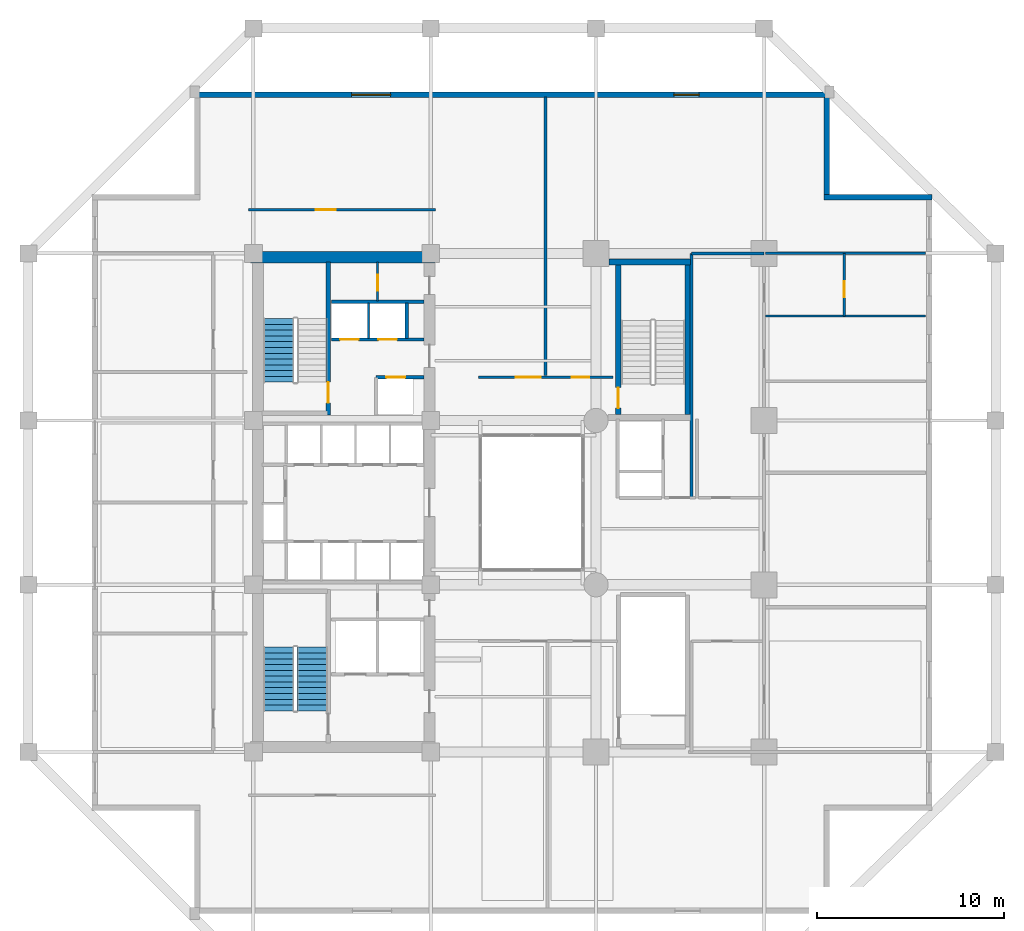
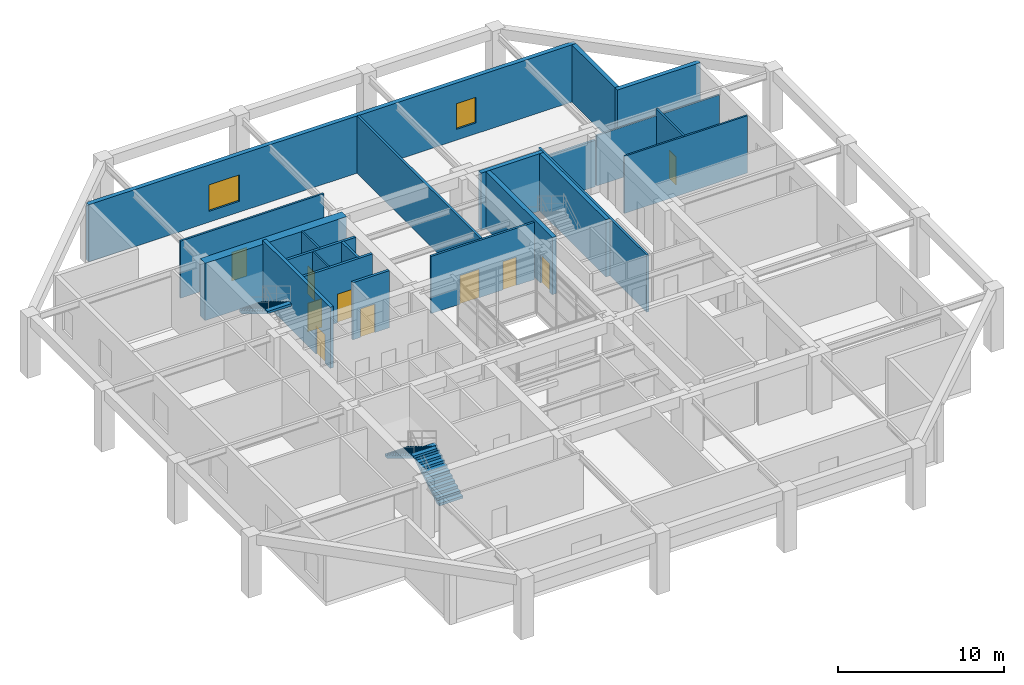
# One storey, part 9 of 13: 22 walls, 10 doors, 3 stair flights, 2 windows, 12 openings, 2 elements without a shape of their own.
"""IFC4 building model written with IfcOpenShell, lengths in metres."""

from ifc_helpers import new_model, si_unit, direction, frame, frame_2d, origin, place, context, subcontext, project, spatial, polyline, rectangle, outline, extrude, material, layer, layer_set, type_object, element, fill, aggregate, save


model = new_model("IFC4")

# Units and contexts
model_context = context("Model", 3, precision=1e-05, world=origin(), true_north=direction((0.0, 1.0)))
body_context = subcontext(model_context, "Body", "Model", "MODEL_VIEW")
ifc_project = project(units=[si_unit("LENGTHUNIT", "METRE"), si_unit("AREAUNIT", "SQUARE_METRE"), si_unit("VOLUMEUNIT", "CUBIC_METRE"), si_unit("PLANEANGLEUNIT", "RADIAN"), si_unit("MASSUNIT", "GRAM", prefix="KILO")], contexts=[model_context])

# Site, building, storey
site_placement = place(None, origin())
site = spatial("IfcSite", under=ifc_project, at=site_placement, CompositionType="ELEMENT")
building_placement = place(site_placement, origin())
building = spatial("IfcBuilding", under=site, at=building_placement, Name="Kundavana Baori Tower", CompositionType="ELEMENT")
storey_placement = place(building_placement, frame((0.0, 0.0, 21.5)))
storey = spatial("IfcBuildingStorey", under=building, at=storey_placement, Name="L04", CompositionType="ELEMENT", Elevation=21.5)

# Wall, opening, door
ifc_material_1 = material(Name="Concrete C50/60", Category="concrete")
ifc_layer_1 = layer(ifc_material_1, 0.39990234375, Name="WL-CORE-400")
ifc_layer_set_1 = layer_set([ifc_layer_1], Name="Concrete C50/60")
wall_type_1 = type_object("IfcWallType", Name="WL-CORE-400", PredefinedType="SHEAR", material=ifc_layer_set_1)
wall_1_placement = place(storey_placement, frame((19.4599609375, 33.300048828125, 0.0), z_axis=(0.0, 0.0, 1.0), x_axis=(0.0, 1.0, 0.0)))
wall_1 = element("IfcWall", 1, at=wall_1_placement, inside=storey, type_object=wall_type_1, Name="WL-L04-ST2-E", PredefinedType="SHEAR", context=body_context, shape_type="SweptSolid", body=[
    extrude(rectangle(XDim=8.179931640625, YDim=0.239990234375, at=frame_2d((4.08984375, 0.0))), origin(), (0.0, 0.0, 1.0), 4.5),
])
opening_1_placement = place(wall_1_placement, frame((0.64990234375, 0.0, 0.0)))
opening_1 = element("IfcOpeningElement", 2, at=opening_1_placement, cuts=wall_1, Name="Opening FD-110", PredefinedType="OPENING", context=body_context, shape_type="SweptSolid", body=[
    extrude(rectangle(XDim=1.10009765625, YDim=2.10009765625, at=frame_2d((0.550048828125, 1.050048828125))), frame((0.0, 0.1298828125, 0.0), z_axis=(0.0, -1.0, 0.0), x_axis=(1.0, 0.0, 0.0)), (0.0, 0.0, 1.0), 0.260009765625),
])
ifc_material_2 = material(Name="Galvanised Steel Fire-Rated Door Leaf", Category="steel")
door_type_1 = type_object("IfcDoorType", Name="DR-FD120-1100", OperationType="NOTDEFINED", PredefinedType="DOOR", material=ifc_material_2)
door_1_placement = place(opening_1_placement, origin())
door_1 = element("IfcDoor", 3, at=door_1_placement, inside=storey, type_object=door_type_1, Name="DR-L04-ST2", OperationType="SINGLE_SWING_RIGHT", OverallHeight=2.10009765625, OverallWidth=1.10009765625, PredefinedType="DOOR", context=body_context, shape_type="SweptSolid", body=[
    extrude(rectangle(XDim=1.10009765625, YDim=2.10009765625, at=frame_2d((0.550048828125, 1.050048828125))), frame((0.0, 0.02490234375, 0.0), z_axis=(0.0, -1.0, 0.0), x_axis=(1.0, 0.0, 0.0)), (0.0, 0.0, 1.0), 0.050048828125),
])
fill(opening_1, door_1)

# Walls
ifc_material_3 = material(Name="Concrete C60/75", Category="concrete")
ifc_layer_2 = layer(ifc_material_3, 0.60009765625, Name="WL-CORE-600")
ifc_layer_set_2 = layer_set([ifc_layer_2], Name="Concrete C60/75")
wall_type_2 = type_object("IfcWallType", Name="WL-CORE-600", PredefinedType="SHEAR", material=ifc_layer_set_2)
wall_2_placement = place(storey_placement, frame((15.300048828125, 41.739990234375, 0.0), z_axis=(0.0, 0.0, 1.0), x_axis=(1.0, 0.0, 0.0)))
element("IfcWall", 4, at=wall_2_placement, inside=storey, type_object=wall_type_2, Name="L04 Offset Core North Shear Wall", PredefinedType="SHEAR", context=body_context, shape_type="SweptSolid", body=[
    extrude(rectangle(XDim=9.8798828125, YDim=0.60009765625, at=frame_2d((4.93994140625, 0.0))), origin(), (0.0, 0.0, 1.0), 4.219970703125),
])
ifc_material_4 = material(Name="Red-Buff Dholpur Sandstone Cladding on Concrete C40/50", Category="masonry")
ifc_layer_3 = layer(ifc_material_4, 0.300048828125, Name="WL-EXT-SAND-300")
ifc_layer_set_3 = layer_set([ifc_layer_3], Name="Red-Buff Dholpur Sandstone Cladding on Concrete C40/50")
wall_type_3 = type_object("IfcWallType", Name="WL-EXT-SAND-300", PredefinedType="STANDARD", material=ifc_layer_set_3)
wall_3_placement = place(storey_placement, frame((51.800048828125, 44.949951171875, 0.0), z_axis=(0.0, 0.0, 1.0), x_axis=(-1.0, 0.0, 0.0)))
element("IfcWall", 5, at=wall_3_placement, inside=storey, type_object=wall_type_3, Name="L04 Exterior Insulated Facade Wall 05", PredefinedType="STANDARD", context=body_context, shape_type="SweptSolid", body=[
    extrude(rectangle(XDim=5.800048828125, YDim=0.300048828125, at=frame_2d((2.89990234375, 0.0))), origin(), (0.0, 0.0, 1.0), 4.219970703125),
])
wall_4_placement = place(storey_placement, frame((46.14990234375, 45.10009765625, 0.0), z_axis=(0.0, 0.0, 1.0), x_axis=(0.0, 1.0, 0.0)))
element("IfcWall", 6, at=wall_4_placement, inside=storey, type_object=wall_type_3, Name="L04 Exterior Insulated Facade Wall 06", PredefinedType="STANDARD", context=body_context, shape_type="SweptSolid", body=[
    extrude(rectangle(XDim=5.199951171875, YDim=0.300048828125, at=frame_2d((2.60009765625, 0.0))), origin(), (0.0, 0.0, 1.0), 4.219970703125),
])

# Wall, openings, windows
wall_5_placement = place(storey_placement, frame((46.300048828125, 50.449951171875, 0.0), z_axis=(0.0, 0.0, 1.0), x_axis=(-1.0, 0.0, 0.0)))
wall_5 = element("IfcWall", 7, at=wall_5_placement, inside=storey, type_object=wall_type_3, Name="L04 Exterior Insulated Facade Wall 07", PredefinedType="STANDARD", context=body_context, shape_type="SweptSolid", body=[
    extrude(rectangle(XDim=34.0, YDim=0.300048828125, at=frame_2d((17.0, 0.0))), origin(), (0.0, 0.0, 1.0), 4.219970703125),
])
opening_2_placement = place(wall_5_placement, frame((23.4951171875, 0.0, 0.800048828125)))
opening_2 = element("IfcOpeningElement", 8, at=opening_2_placement, cuts=wall_5, Name="Opening W-05", PredefinedType="OPENING", context=body_context, shape_type="SweptSolid", body=[
    extrude(rectangle(XDim=2.10009765625, YDim=1.949951171875, at=frame_2d((1.050048828125, 0.97509765625))), frame((0.0, 0.16015625, 0.0), z_axis=(0.0, -1.0, 0.0), x_axis=(1.0, 0.0, 0.0)), (0.0, 0.0, 1.0), 0.320068359375),
])
opening_3_placement = place(wall_5_placement, frame((6.97998046875, 0.0, 0.800048828125)))
opening_3 = element("IfcOpeningElement", 9, at=opening_3_placement, cuts=wall_5, Name="Opening W-07", PredefinedType="OPENING", context=body_context, shape_type="SweptSolid", body=[
    extrude(rectangle(XDim=1.35009765625, YDim=1.89990234375, at=frame_2d((0.675048828125, 0.949951171875))), frame((0.0, 0.16015625, 0.0), z_axis=(0.0, -1.0, 0.0), x_axis=(1.0, 0.0, 0.0)), (0.0, 0.0, 1.0), 0.320068359375),
])
ifc_material_5 = material(Name="Double-Glazed Solar-Control Low-E Insulated Glass", Category="glass")
window_type_1 = type_object("IfcWindowType", Name="WIN-LOG-1350x1900", PartitioningType="SINGLE_PANEL", PredefinedType="WINDOW", material=ifc_material_5)
window_1_placement = place(opening_3_placement, origin())
window_1 = element("IfcWindow", 10, at=window_1_placement, inside=storey, type_object=window_type_1, Name="L04 Recessed Loggia Window N-2", OverallHeight=1.89990234375, OverallWidth=1.35009765625, PartitioningType="SINGLE_PANEL", PredefinedType="WINDOW", context=body_context, shape_type="SweptSolid", body=[
    extrude(rectangle(XDim=1.35009765625, YDim=1.89990234375, at=frame_2d((0.675048828125, 0.949951171875))), frame((0.0, 0.030029296875, 0.0), z_axis=(0.0, -1.0, 0.0), x_axis=(1.0, 0.0, 0.0)), (0.0, 0.0, 1.0), 0.06005859375),
])
fill(opening_3, window_1)
ifc_material_6 = material(Name="Double-Glazed Solar-Control Low-E Insulated Glass", Category="glass")
window_type_2 = type_object("IfcWindowType", Name="WIN-LOG-2100x1950", PartitioningType="SINGLE_PANEL", PredefinedType="WINDOW", material=ifc_material_6)
window_2_placement = place(opening_2_placement, origin())
window_2 = element("IfcWindow", 11, at=window_2_placement, inside=storey, type_object=window_type_2, Name="L04 Recessed Loggia Window N-1", OverallHeight=1.949951171875, OverallWidth=2.10009765625, PartitioningType="SINGLE_PANEL", PredefinedType="WINDOW", context=body_context, shape_type="SweptSolid", body=[
    extrude(rectangle(XDim=2.10009765625, YDim=1.949951171875, at=frame_2d((1.050048828125, 0.97509765625))), frame((0.0, 0.030029296875, 0.0), z_axis=(0.0, -1.0, 0.0), x_axis=(1.0, 0.0, 0.0)), (0.0, 0.0, 1.0), 0.06005859375),
])
fill(opening_2, window_2)

# Wall
ifc_material_7 = material(Name="Acoustic Gypsum Plasterboard on Galvanised Steel Studs", Category="steel")
ifc_layer_4 = layer(ifc_material_7, 0.1201171875, Name="WL-PART-120")
ifc_layer_set_4 = layer_set([ifc_layer_4], Name="Acoustic Gypsum Plasterboard on Galvanised Steel Studs")
wall_type_4 = type_object("IfcWallType", Name="WL-PART-120", PredefinedType="PARTITIONING", material=ifc_layer_set_4)
wall_6_placement = place(storey_placement, frame((21.6201171875, 37.39990234375, 0.0), z_axis=(0.0, 0.0, 1.0), x_axis=(0.0, 1.0, 0.0)))
element("IfcWall", 12, at=wall_6_placement, inside=storey, type_object=wall_type_4, Name="WL-L04-HR-DIV1", PredefinedType="PARTITIONING", context=body_context, shape_type="SweptSolid", body=[
    extrude(rectangle(XDim=1.900146484375, YDim=0.1201171875, at=frame_2d((0.9501953125, 0.0))), origin(), (0.0, 0.0, 1.0), 4.219970703125),
])

# Wall, opening, door
wall_7_placement = place(storey_placement, frame((22.10009765625, 39.39990234375, 0.0), z_axis=(0.0, 0.0, 1.0), x_axis=(0.0, 1.0, 0.0)))
wall_7 = element("IfcWall", 13, at=wall_7_placement, inside=storey, type_object=wall_type_4, Name="WL-L04-CSRV-D1", PredefinedType="PARTITIONING", context=body_context, shape_type="SweptSolid", body=[
    extrude(rectangle(XDim=2.080078125, YDim=0.1201171875, at=frame_2d((1.0400390625, 0.0))), origin(), (0.0, 0.0, 1.0), 4.219970703125),
])
opening_4_placement = place(wall_7_placement, frame((0.550048828125, 0.0, 0.0)))
opening_4 = element("IfcOpeningElement", 14, at=opening_4_placement, cuts=wall_7, Name="Opening FD-085", PredefinedType="OPENING", context=body_context, shape_type="SweptSolid", body=[
    extrude(rectangle(XDim=0.85009765625, YDim=2.06005859375, at=frame_2d((0.425048828125, 1.030029296875))), frame((0.0, 0.070068359375, 0.0), z_axis=(0.0, -1.0, 0.0), x_axis=(1.0, 0.0, 0.0)), (0.0, 0.0, 1.0), 0.14013671875),
])
ifc_material_8 = material(Name="Galvanised Steel Fire-Rated Door Leaf", Category="steel")
door_type_2 = type_object("IfcDoorType", Name="DR-FD60-850", OperationType="NOTDEFINED", PredefinedType="DOOR", material=ifc_material_8)
door_2_placement = place(opening_4_placement, origin())
door_2 = element("IfcDoor", 15, at=door_2_placement, inside=storey, type_object=door_type_2, Name="DR-L04-CSRV1", OperationType="SINGLE_SWING_LEFT", OverallHeight=2.06005859375, OverallWidth=0.85009765625, PredefinedType="DOOR", context=body_context, shape_type="SweptSolid", body=[
    extrude(rectangle(XDim=0.85009765625, YDim=2.06005859375, at=frame_2d((0.425048828125, 1.030029296875))), frame((0.0, 0.02490234375, 0.0), z_axis=(0.0, -1.0, 0.0), x_axis=(1.0, 0.0, 0.0)), (0.0, 0.0, 1.0), 0.050048828125),
])
fill(opening_4, door_2)

ifc_material_9 = material(Name="Acoustic Gypsum Plasterboard on Galvanised Steel Studs", Category="steel")
ifc_layer_5 = layer(ifc_material_9, 0.135009765625, Name="WL-PART-135")
ifc_layer_set_5 = layer_set([ifc_layer_5], Name="Acoustic Gypsum Plasterboard on Galvanised Steel Studs")
wall_type_5 = type_object("IfcWallType", Name="WL-PART-135", PredefinedType="PARTITIONING", material=ifc_layer_set_5)
wall_8_placement = place(storey_placement, frame((15.199951171875, 44.280029296875, 0.0), z_axis=(0.0, 0.0, 1.0), x_axis=(1.0, 0.0, 0.0)))
wall_8 = element("IfcWall", 16, at=wall_8_placement, inside=storey, type_object=wall_type_5, Name="WL-L04-NC", PredefinedType="PARTITIONING", context=body_context, shape_type="SweptSolid", body=[
    extrude(rectangle(XDim=10.0, YDim=0.135009765625, at=frame_2d((5.0, 0.0))), origin(), (0.0, 0.0, 1.0), 4.219970703125),
])
opening_5_placement = place(wall_8_placement, frame((3.60009765625, 0.0, 0.0)))
opening_5 = element("IfcOpeningElement", 17, at=opening_5_placement, cuts=wall_8, Name="Opening ID-105", PredefinedType="OPENING", context=body_context, shape_type="SweptSolid", body=[
    extrude(rectangle(XDim=1.050048828125, YDim=2.10009765625, at=frame_2d((0.52490234375, 1.050048828125))), frame((0.0, 0.07763671875, 0.0), z_axis=(0.0, -1.0, 0.0), x_axis=(1.0, 0.0, 0.0)), (0.0, 0.0, 1.0), 0.155029296875),
])
ifc_material_10 = material(Name="Engineered Teak Solid-Core Timber Veneer", Category="wood")
door_type_3 = type_object("IfcDoorType", Name="DR-INT-1050", OperationType="NOTDEFINED", PredefinedType="DOOR", material=ifc_material_10)
door_3_placement = place(opening_5_placement, origin())
door_3 = element("IfcDoor", 18, at=door_3_placement, inside=storey, type_object=door_type_3, Name="DR-L04-RNW", OperationType="SINGLE_SWING_RIGHT", OverallHeight=2.10009765625, OverallWidth=1.050048828125, PredefinedType="DOOR", context=body_context, shape_type="SweptSolid", body=[
    extrude(rectangle(XDim=1.050048828125, YDim=2.10009765625, at=frame_2d((0.52490234375, 1.050048828125))), frame((0.0, 0.02490234375, 0.0), z_axis=(0.0, -1.0, 0.0), x_axis=(1.0, 0.0, 0.0)), (0.0, 0.0, 1.0), 0.050048828125),
])
fill(opening_5, door_3)

# Wall, openings, doors
ifc_material_11 = material(Name="Fire-Rated Gypsum Drywall on Galvanised Steel Studs", Category="steel")
ifc_layer_6 = layer(ifc_material_11, 0.14990234375, Name="WL-PART-150")
ifc_layer_set_6 = layer_set([ifc_layer_6], Name="Fire-Rated Gypsum Drywall on Galvanised Steel Studs")
wall_type_6 = type_object("IfcWallType", Name="WL-PART-150", PredefinedType="PARTITIONING", material=ifc_layer_set_6)
wall_9_placement = place(storey_placement, frame((27.5, 35.320068359375, 0.0), z_axis=(0.0, 0.0, 1.0), x_axis=(1.0, 0.0, 0.0)))
wall_9 = element("IfcWall", 19, at=wall_9_placement, inside=storey, type_object=wall_type_6, Name="WL-L04-PODN", PredefinedType="PARTITIONING", context=body_context, shape_type="SweptSolid", body=[
    extrude(rectangle(XDim=7.219970703125, YDim=0.14990234375, at=frame_2d((3.60986328125, 0.0))), origin(), (0.0, 0.0, 1.0), 4.219970703125),
])
opening_6_placement = place(wall_9_placement, frame((5.0, 0.0, 0.0)))
opening_6 = element("IfcOpeningElement", 20, at=opening_6_placement, cuts=wall_9, Name="Opening ID-095", PredefinedType="OPENING", context=body_context, shape_type="SweptSolid", body=[
    extrude(rectangle(XDim=0.949951171875, YDim=2.080078125, at=frame_2d((0.47509765625, 1.0400390625))), frame((0.0, 0.0849609375, 0.0), z_axis=(0.0, -1.0, 0.0), x_axis=(1.0, 0.0, 0.0)), (0.0, 0.0, 1.0), 0.169921875),
])
opening_7_placement = place(wall_9_placement, frame((2.0, 0.0, 0.0)))
opening_7 = element("IfcOpeningElement", 21, at=opening_7_placement, cuts=wall_9, Name="Opening ID-135", PredefinedType="OPENING", context=body_context, shape_type="SweptSolid", body=[
    extrude(rectangle(XDim=1.35009765625, YDim=2.10009765625, at=frame_2d((0.675048828125, 1.050048828125))), frame((0.0, 0.0849609375, 0.0), z_axis=(0.0, -1.0, 0.0), x_axis=(1.0, 0.0, 0.0)), (0.0, 0.0, 1.0), 0.169921875),
])
ifc_material_12 = material(Name="Engineered Teak Solid-Core Timber Veneer", Category="wood")
door_type_4 = type_object("IfcDoorType", Name="DR-INT-1350", OperationType="NOTDEFINED", PredefinedType="DOOR", material=ifc_material_12)
door_4_placement = place(opening_7_placement, origin())
door_4 = element("IfcDoor", 22, at=door_4_placement, inside=storey, type_object=door_type_4, Name="DR-L04-CONFN", OperationType="SINGLE_SWING_LEFT", OverallHeight=2.10009765625, OverallWidth=1.35009765625, PredefinedType="DOOR", context=body_context, shape_type="SweptSolid", body=[
    extrude(rectangle(XDim=1.35009765625, YDim=2.10009765625, at=frame_2d((0.675048828125, 1.050048828125))), frame((0.0, 0.02490234375, 0.0), z_axis=(0.0, -1.0, 0.0), x_axis=(1.0, 0.0, 0.0)), (0.0, 0.0, 1.0), 0.050048828125),
])
fill(opening_7, door_4)
ifc_material_13 = material(Name="Engineered Teak Solid-Core Timber Veneer", Category="wood")
door_type_5 = type_object("IfcDoorType", Name="DR-INT-950", OperationType="NOTDEFINED", PredefinedType="DOOR", material=ifc_material_13)
door_5_placement = place(opening_6_placement, origin())
door_5 = element("IfcDoor", 23, at=door_5_placement, inside=storey, type_object=door_type_5, Name="DR-L04-CFN2", OperationType="SINGLE_SWING_RIGHT", OverallHeight=2.080078125, OverallWidth=0.949951171875, PredefinedType="DOOR", context=body_context, shape_type="SweptSolid", body=[
    extrude(rectangle(XDim=0.949951171875, YDim=2.080078125, at=frame_2d((0.47509765625, 1.0400390625))), frame((0.0, 0.02490234375, 0.0), z_axis=(0.0, -1.0, 0.0), x_axis=(1.0, 0.0, 0.0)), (0.0, 0.0, 1.0), 0.050048828125),
])
fill(opening_6, door_5)

# Walls
wall_10_placement = place(storey_placement, frame((38.919921875, 28.860107421875, 0.0), z_axis=(0.0, 0.0, 1.0), x_axis=(0.0, 1.0, 0.0)))
element("IfcWall", 24, at=wall_10_placement, inside=storey, type_object=wall_type_6, Name="WL-L04-PEATW", PredefinedType="PARTITIONING", context=body_context, shape_type="SweptSolid", body=[
    extrude(rectangle(XDim=13.08984375, YDim=0.14990234375, at=frame_2d((6.544921875, 0.0))), origin(), (0.0, 0.0, 1.0), 4.219970703125),
])
wall_11_placement = place(storey_placement, frame((38.919921875, 41.949951171875, 0.0), z_axis=(0.0, 0.0, 1.0), x_axis=(1.0, 0.0, 0.0)))
element("IfcWall", 25, at=wall_11_placement, inside=storey, type_object=wall_type_6, Name="WL-L04-PEATN", PredefinedType="PARTITIONING", context=body_context, shape_type="SweptSolid", body=[
    extrude(rectangle(XDim=3.880126953125, YDim=0.14990234375, at=frame_2d((1.93994140625, 0.0))), origin(), (0.0, 0.0, 1.0), 3.419921875),
])
ifc_material_14 = material(Name="Fire-Rated Gypsum Drywall on Galvanised Steel Studs", Category="steel")
ifc_layer_7 = layer(ifc_material_14, 0.1650390625, Name="WL-PART-165")
ifc_layer_set_7 = layer_set([ifc_layer_7], Name="Fire-Rated Gypsum Drywall on Galvanised Steel Studs")
wall_type_7 = type_object("IfcWallType", Name="WL-PART-165", PredefinedType="PARTITIONING", material=ifc_layer_set_7)
wall_12_placement = place(storey_placement, frame((31.10009765625, 35.39990234375, 0.0), z_axis=(0.0, 0.0, 1.0), x_axis=(0.0, 1.0, 0.0)))
element("IfcWall", 26, at=wall_12_placement, inside=storey, type_object=wall_type_7, Name="WL-L04-CN1", PredefinedType="PARTITIONING", context=body_context, shape_type="SweptSolid", body=[
    extrude(rectangle(XDim=14.920166015625, YDim=0.1650390625, at=frame_2d((7.4599609375, 0.0))), origin(), (0.0, 0.0, 1.0), 4.219970703125),
])

# Wall, opening, door
ifc_material_15 = material(Name="Autoclaved Aerated Concrete Blockwork Masonry", Category="masonry")
ifc_layer_8 = layer(ifc_material_15, 0.179931640625, Name="WL-SHAFT-180")
ifc_layer_set_8 = layer_set([ifc_layer_8], Name="Autoclaved Aerated Concrete Blockwork Masonry")
wall_type_8 = type_object("IfcWallType", Name="WL-SHAFT-180", PredefinedType="SOLIDWALL", material=ifc_layer_set_8)
wall_13_placement = place(storey_placement, frame((22.02001953125, 35.31005859375, 0.0), z_axis=(0.0, 0.0, 1.0), x_axis=(1.0, 0.0, 0.0)))
wall_13 = element("IfcWall", 27, at=wall_13_placement, inside=storey, type_object=wall_type_8, Name="WL-L04-LP11-N", PredefinedType="SOLIDWALL", context=body_context, shape_type="SweptSolid", body=[
    extrude(rectangle(XDim=2.56005859375, YDim=0.179931640625, at=frame_2d((1.280029296875, 0.0))), origin(), (0.0, 0.0, 1.0), 4.219970703125),
])
opening_8_placement = place(wall_13_placement, frame((0.550048828125, 0.0, 0.0)))
opening_8 = element("IfcOpeningElement", 28, at=opening_8_placement, cuts=wall_13, Name="Opening LD-100", PredefinedType="OPENING", context=body_context, shape_type="SweptSolid", body=[
    extrude(rectangle(XDim=1.0, YDim=2.10009765625, at=frame_2d((0.5, 1.050048828125))), frame((0.0, 0.10009765625, 0.0), z_axis=(0.0, -1.0, 0.0), x_axis=(1.0, 0.0, 0.0)), (0.0, 0.0, 1.0), 0.199951171875),
])
ifc_material_16 = material(Name="Galvanised Steel Fire-Rated Door Leaf", Category="steel")
door_type_6 = type_object("IfcDoorType", Name="DR-SLIDE-LD1000", OperationType="NOTDEFINED", PredefinedType="DOOR", material=ifc_material_16)
door_6_placement = place(opening_8_placement, origin())
door_6 = element("IfcDoor", 29, at=door_6_placement, inside=storey, type_object=door_type_6, Name="DR-L04-LD-LP11", OperationType="DOUBLE_DOOR_SLIDING", OverallHeight=2.10009765625, OverallWidth=1.0, PredefinedType="DOOR", context=body_context, shape_type="SweptSolid", body=[
    extrude(rectangle(XDim=1.0, YDim=2.10009765625, at=frame_2d((0.5, 1.050048828125))), frame((0.0, 0.02490234375, 0.0), z_axis=(0.0, -1.0, 0.0), x_axis=(1.0, 0.0, 0.0)), (0.0, 0.0, 1.0), 0.050048828125),
])
fill(opening_8, door_6)

# Wall, openings, doors
wall_14_placement = place(storey_placement, frame((19.639892578125, 37.340087890625, 0.0), z_axis=(0.0, 0.0, 1.0), x_axis=(1.0, 0.0, 0.0)))
wall_14 = element("IfcWall", 30, at=wall_14_placement, inside=storey, type_object=wall_type_8, Name="WL-L04-HRLOB-N", PredefinedType="SOLIDWALL", context=body_context, shape_type="SweptSolid", body=[
    extrude(rectangle(XDim=4.940185546875, YDim=0.179931640625, at=frame_2d((2.47021484375, 0.0))), origin(), (0.0, 0.0, 1.0), 4.219970703125),
])
opening_9_placement = place(wall_14_placement, frame((0.449951171875, 0.0, 0.0)))
opening_9 = element("IfcOpeningElement", 31, at=opening_9_placement, cuts=wall_14, Name="Opening LD-100", PredefinedType="OPENING", context=body_context, shape_type="SweptSolid", body=[
    extrude(rectangle(XDim=1.0, YDim=2.10009765625, at=frame_2d((0.5, 1.050048828125))), frame((0.0, 0.10009765625, 0.0), z_axis=(0.0, -1.0, 0.0), x_axis=(1.0, 0.0, 0.0)), (0.0, 0.0, 1.0), 0.199951171875),
])
opening_10_placement = place(wall_14_placement, frame((2.5, 0.0, 0.0)))
opening_10 = element("IfcOpeningElement", 32, at=opening_10_placement, cuts=wall_14, Name="Opening LD-100", PredefinedType="OPENING", context=body_context, shape_type="SweptSolid", body=[
    extrude(rectangle(XDim=1.0, YDim=2.10009765625, at=frame_2d((0.5, 1.050048828125))), frame((0.0, 0.10009765625, 0.0), z_axis=(0.0, -1.0, 0.0), x_axis=(1.0, 0.0, 0.0)), (0.0, 0.0, 1.0), 0.199951171875),
])
door_7_placement = place(opening_9_placement, frame((1.0, 0.0, 0.0), z_axis=(0.0, 0.0, 1.0), x_axis=(-1.0, 0.0, 0.0)))
door_7 = element("IfcDoor", 33, at=door_7_placement, inside=storey, type_object=door_type_6, Name="DR-L04-LD-LP09", OperationType="DOUBLE_DOOR_SLIDING", OverallHeight=2.10009765625, OverallWidth=1.0, PredefinedType="DOOR", context=body_context, shape_type="SweptSolid", body=[
    extrude(rectangle(XDim=1.0, YDim=2.10009765625, at=frame_2d((0.5, 1.050048828125))), frame((0.0, 0.02490234375, 0.0), z_axis=(0.0, -1.0, 0.0), x_axis=(1.0, 0.0, 0.0)), (0.0, 0.0, 1.0), 0.050048828125),
])
fill(opening_9, door_7)
door_8_placement = place(opening_10_placement, frame((1.0, 0.0, 0.0), z_axis=(0.0, 0.0, 1.0), x_axis=(-1.0, 0.0, 0.0)))
door_8 = element("IfcDoor", 34, at=door_8_placement, inside=storey, type_object=door_type_6, Name="DR-L04-LD-LP10", OperationType="DOUBLE_DOOR_SLIDING", OverallHeight=2.10009765625, OverallWidth=1.0, PredefinedType="DOOR", context=body_context, shape_type="SweptSolid", body=[
    extrude(rectangle(XDim=1.0, YDim=2.10009765625, at=frame_2d((0.5, 1.050048828125))), frame((0.0, 0.02490234375, 0.0), z_axis=(0.0, -1.0, 0.0), x_axis=(1.0, 0.0, 0.0)), (0.0, 0.0, 1.0), 0.050048828125),
])
fill(opening_10, door_8)

# Walls
wall_15_placement = place(storey_placement, frame((19.639892578125, 39.360107421875, 0.0), z_axis=(0.0, 0.0, 1.0), x_axis=(1.0, 0.0, 0.0)))
element("IfcWall", 35, at=wall_15_placement, inside=storey, type_object=wall_type_8, Name="WL-L04-HRLOB-TOP", PredefinedType="SOLIDWALL", context=body_context, shape_type="SweptSolid", body=[
    extrude(rectangle(XDim=4.940185546875, YDim=0.179931640625, at=frame_2d((2.47021484375, 0.0))), origin(), (0.0, 0.0, 1.0), 4.219970703125),
])
wall_16_placement = place(storey_placement, frame((23.659912109375, 37.39990234375, 0.0), z_axis=(0.0, 0.0, 1.0), x_axis=(0.0, 1.0, 0.0)))
element("IfcWall", 36, at=wall_16_placement, inside=storey, type_object=wall_type_8, Name="WL-L04-HR-DIV2", PredefinedType="SOLIDWALL", context=body_context, shape_type="SweptSolid", body=[
    extrude(rectangle(XDim=1.900146484375, YDim=0.179931640625, at=frame_2d((0.9501953125, 0.0))), origin(), (0.0, 0.0, 1.0), 4.219970703125),
])
ifc_material_17 = material(Name="Concrete C50/60", Category="concrete")
ifc_layer_9 = layer(ifc_material_17, 0.300048828125, Name="WL-ST3-300")
ifc_layer_set_9 = layer_set([ifc_layer_9], Name="Concrete C50/60")
wall_type_9 = type_object("IfcWallType", Name="WL-ST3-300", PredefinedType="SHEAR", material=ifc_layer_set_9)
wall_17_placement = place(storey_placement, frame((34.5, 41.489990234375, 0.0), z_axis=(0.0, 0.0, 1.0), x_axis=(1.0, 0.0, 0.0)))
element("IfcWall", 37, at=wall_17_placement, inside=storey, type_object=wall_type_9, Name="L04 Stair ST3 North Shear Wall", PredefinedType="SHEAR", context=body_context, shape_type="SweptSolid", body=[
    extrude(rectangle(XDim=4.3701171875, YDim=0.300048828125, at=frame_2d((2.18505859375, 0.0))), origin(), (0.0, 0.0, 1.0), 4.219970703125),
])

# Wall, opening, door
wall_18_placement = place(storey_placement, frame((34.97998046875, 33.31005859375, 0.0), z_axis=(0.0, 0.0, 1.0), x_axis=(0.0, 1.0, 0.0)))
wall_18 = element("IfcWall", 38, at=wall_18_placement, inside=storey, type_object=wall_type_9, Name="L04 Stair ST3 West Shear Wall", PredefinedType="SHEAR", context=body_context, shape_type="SweptSolid", body=[
    extrude(rectangle(XDim=8.030029296875, YDim=0.300048828125, at=frame_2d((4.01513671875, 0.0))), origin(), (0.0, 0.0, 1.0), 4.219970703125),
])
opening_11_placement = place(wall_18_placement, frame((0.35009765625, 0.0, 0.0)))
opening_11 = element("IfcOpeningElement", 39, at=opening_11_placement, cuts=wall_18, Name="Opening FD-110", PredefinedType="OPENING", context=body_context, shape_type="SweptSolid", body=[
    extrude(rectangle(XDim=1.10009765625, YDim=2.10009765625, at=frame_2d((0.550048828125, 1.050048828125))), frame((0.0, 0.16015625, 0.0), z_axis=(0.0, -1.0, 0.0), x_axis=(1.0, 0.0, 0.0)), (0.0, 0.0, 1.0), 0.320068359375),
])
door_9_placement = place(opening_11_placement, origin())
door_9 = element("IfcDoor", 40, at=door_9_placement, inside=storey, type_object=door_type_1, Name="DR-L04-ST3-W", OperationType="SINGLE_SWING_LEFT", OverallHeight=2.10009765625, OverallWidth=1.10009765625, PredefinedType="DOOR", context=body_context, shape_type="SweptSolid", body=[
    extrude(rectangle(XDim=1.10009765625, YDim=2.10009765625, at=frame_2d((0.550048828125, 1.050048828125))), frame((0.0, 0.02490234375, 0.0), z_axis=(0.0, -1.0, 0.0), x_axis=(1.0, 0.0, 0.0)), (0.0, 0.0, 1.0), 0.050048828125),
])
fill(opening_11, door_9)

# Walls
wall_19_placement = place(storey_placement, frame((38.719970703125, 33.31005859375, 0.0), z_axis=(0.0, 0.0, 1.0), x_axis=(0.0, 1.0, 0.0)))
element("IfcWall", 41, at=wall_19_placement, inside=storey, type_object=wall_type_9, Name="L04 Stair ST3 East Shear Wall", PredefinedType="SHEAR", context=body_context, shape_type="SweptSolid", body=[
    extrude(rectangle(XDim=8.030029296875, YDim=0.300048828125, at=frame_2d((4.01513671875, 0.0))), origin(), (0.0, 0.0, 1.0), 4.219970703125),
])
ifc_material_18 = material(Name="Autoclaved Aerated Concrete Blockwork Masonry", Category="masonry")
ifc_layer_10 = layer(ifc_material_18, 0.125, Name="WL-WET-120")
ifc_layer_set_10 = layer_set([ifc_layer_10], Name="Autoclaved Aerated Concrete Blockwork Masonry")
wall_type_10 = type_object("IfcWallType", Name="WL-WET-120", PredefinedType="PLUMBINGWALL", material=ifc_layer_set_10)
wall_20_placement = place(storey_placement, frame((42.8798828125, 41.949951171875, 0.0), z_axis=(0.0, 0.0, 1.0), x_axis=(1.0, 0.0, 0.0)))
element("IfcWall", 42, at=wall_20_placement, inside=storey, type_object=wall_type_10, Name="WL-L04-PODE-N", PredefinedType="PLUMBINGWALL", context=body_context, shape_type="SweptSolid", body=[
    extrude(rectangle(XDim=8.570068359375, YDim=0.125, at=frame_2d((4.28515625, 0.0))), origin(), (0.0, 0.0, 1.0), 3.719970703125),
])
wall_21_placement = place(storey_placement, frame((42.8798828125, 38.60009765625, 0.0), z_axis=(0.0, 0.0, 1.0), x_axis=(1.0, 0.0, 0.0)))
element("IfcWall", 43, at=wall_21_placement, inside=storey, type_object=wall_type_10, Name="WL-L04-CD4", PredefinedType="PLUMBINGWALL", context=body_context, shape_type="SweptSolid", body=[
    extrude(rectangle(XDim=8.570068359375, YDim=0.125, at=frame_2d((4.28515625, 0.0))), origin(), (0.0, 0.0, 1.0), 4.219970703125),
])

# Wall, opening, door
wall_22_placement = place(storey_placement, frame((47.10009765625, 38.60009765625, 0.0), z_axis=(0.0, 0.0, 1.0), x_axis=(0.0, 1.0, 0.0)))
wall_22 = element("IfcWall", 44, at=wall_22_placement, inside=storey, type_object=wall_type_10, Name="WL-L04-WCAD", PredefinedType="PLUMBINGWALL", context=body_context, shape_type="SweptSolid", body=[
    extrude(rectangle(XDim=3.349853515625, YDim=0.125, at=frame_2d((1.6748046875, 0.0))), origin(), (0.0, 0.0, 1.0), 4.219970703125),
])
opening_12_placement = place(wall_22_placement, frame((1.0, 0.0, 0.0)))
opening_12 = element("IfcOpeningElement", 45, at=opening_12_placement, cuts=wall_22, Name="Opening WD-085", PredefinedType="OPENING", context=body_context, shape_type="SweptSolid", body=[
    extrude(rectangle(XDim=0.85009765625, YDim=2.050048828125, at=frame_2d((0.425048828125, 1.02490234375))), frame((0.0, 0.072509765625, 0.0), z_axis=(0.0, -1.0, 0.0), x_axis=(1.0, 0.0, 0.0)), (0.0, 0.0, 1.0), 0.14501953125),
])
ifc_material_19 = material(Name="Engineered Teak Solid-Core Timber Veneer", Category="wood")
door_type_7 = type_object("IfcDoorType", Name="DR-WET-850", OperationType="NOTDEFINED", PredefinedType="DOOR", material=ifc_material_19)
door_10_placement = place(opening_12_placement, origin())
door_10 = element("IfcDoor", 46, at=door_10_placement, inside=storey, type_object=door_type_7, Name="DR-L04-WCPR", OperationType="SINGLE_SWING_LEFT", OverallHeight=2.050048828125, OverallWidth=0.85009765625, PredefinedType="DOOR", context=body_context, shape_type="SweptSolid", body=[
    extrude(rectangle(XDim=0.85009765625, YDim=2.050048828125, at=frame_2d((0.425048828125, 1.02490234375))), frame((0.0, 0.02490234375, 0.0), z_axis=(0.0, -1.0, 0.0), x_axis=(1.0, 0.0, 0.0)), (0.0, 0.0, 1.0), 0.050048828125),
])
fill(opening_12, door_10)

# Stair, stair flights
ifc_material_20 = material(Name="Concrete C40/50", Category="concrete")
stair_type = type_object("IfcStairType", Name="STR-DOG-1650", PredefinedType="HALF_TURN_STAIR", material=ifc_material_20)
stair_1_placement = place(storey_placement, origin())
stair_1 = element("IfcStair", 47, at=stair_1_placement, inside=storey, type_object=stair_type, Name="L04 Protected Exit Stair ST1", PredefinedType="HALF_TURN_STAIR")
ifc_material_21 = material(Name="Concrete C40/50", Category="concrete")
stair_flight_type = type_object("IfcStairFlightType", Name="SFL-RC-1650", PredefinedType="STRAIGHT", material=ifc_material_21)
stair_flight_1_placement = place(storey_placement, frame((18.614990234375, 17.449951171875, 0.0), z_axis=(0.0, 0.0, 1.0), x_axis=(0.0, 1.0, 0.0)))
stair_flight_1 = element("IfcStairFlight", 48, at=stair_flight_1_placement, type_object=stair_flight_type, Name="ST1 flight 1", NumberOfRisers=12, NumberOfTreads=11, PredefinedType="STRAIGHT", RiserHeight=0.1875, TreadLength=0.31, context=body_context, shape_type="SweptSolid", body=[
    extrude(outline(polyline([(0.0, 0.0), (0.0, 0.1875), (0.31005859375, 0.1875), (0.31005859375, 0.375), (0.6201171875, 0.375), (0.6201171875, 0.5625), (0.929931640625, 0.5625), (0.929931640625, 0.75), (1.239990234375, 0.75), (1.239990234375, 0.9375), (1.550048828125, 0.9375), (1.550048828125, 1.125), (1.860107421875, 1.125), (1.860107421875, 1.3125), (2.169921875, 1.3125), (2.169921875, 1.5), (2.47998046875, 1.5), (2.47998046875, 1.6875), (2.7900390625, 1.6875), (2.7900390625, 1.875), (3.10009765625, 1.875), (3.10009765625, 2.0625), (3.409912109375, 2.0625), (3.409912109375, 2.25), (3.409912109375, 1.88720703125), (0.28955078125, 0.0), (0.0, 0.0)])), frame((0.0, 0.824951171875, 0.0), z_axis=(0.0, -1.0, 0.0), x_axis=(1.0, 0.0, 0.0)), (0.0, 0.0, 1.0), 1.64990234375),
])
stair_flight_2_placement = place(storey_placement, frame((16.804931640625, 20.860107421875, 2.25), z_axis=(0.0, 0.0, 1.0), x_axis=(0.0, -1.0, 0.0)))
stair_flight_2 = element("IfcStairFlight", 49, at=stair_flight_2_placement, type_object=stair_flight_type, Name="ST1 flight 2", NumberOfRisers=12, NumberOfTreads=11, PredefinedType="STRAIGHT", RiserHeight=0.1875, TreadLength=0.31, context=body_context, shape_type="SweptSolid", body=[
    extrude(outline(polyline([(0.0, 0.0), (0.0, 0.1875), (0.31005859375, 0.1875), (0.31005859375, 0.375), (0.6201171875, 0.375), (0.6201171875, 0.5625), (0.929931640625, 0.5625), (0.929931640625, 0.75), (1.239990234375, 0.75), (1.239990234375, 0.9375), (1.550048828125, 0.9375), (1.550048828125, 1.125), (1.860107421875, 1.125), (1.860107421875, 1.3125), (2.169921875, 1.3125), (2.169921875, 1.5), (2.47998046875, 1.5), (2.47998046875, 1.6875), (2.7900390625, 1.6875), (2.7900390625, 1.875), (3.10009765625, 1.875), (3.10009765625, 2.0625), (3.409912109375, 2.0625), (3.409912109375, 2.25), (3.409912109375, 1.88720703125), (0.28955078125, 0.0), (0.0, 0.0)])), frame((0.0, 0.824951171875, 0.0), z_axis=(0.0, -1.0, 0.0), x_axis=(1.0, 0.0, 0.0)), (0.0, 0.0, 1.0), 1.64990234375),
])
aggregate(stair_1, [stair_flight_1, stair_flight_2])

# Stair, stair flight
stair_2_placement = place(storey_placement, origin())
stair_2 = element("IfcStair", 50, at=stair_2_placement, inside=storey, type_object=stair_type, Name="L04 Protected Exit Stair ST2", PredefinedType="HALF_TURN_STAIR")
stair_flight_3_placement = place(storey_placement, frame((16.804931640625, 38.4599609375, 2.25), z_axis=(0.0, 0.0, 1.0), x_axis=(0.0, -1.0, 0.0)))
stair_flight_3 = element("IfcStairFlight", 51, at=stair_flight_3_placement, type_object=stair_flight_type, Name="ST2 flight 2", NumberOfRisers=12, NumberOfTreads=11, PredefinedType="STRAIGHT", RiserHeight=0.1875, TreadLength=0.31, context=body_context, shape_type="SweptSolid", body=[
    extrude(outline(polyline([(0.0, 0.0), (0.0, 0.1875), (0.31005859375, 0.1875), (0.31005859375, 0.375), (0.6201171875, 0.375), (0.6201171875, 0.5625), (0.929931640625, 0.5625), (0.929931640625, 0.75), (1.239990234375, 0.75), (1.239990234375, 0.9375), (1.550048828125, 0.9375), (1.550048828125, 1.125), (1.860107421875, 1.125), (1.860107421875, 1.3125), (2.169921875, 1.3125), (2.169921875, 1.5), (2.47998046875, 1.5), (2.47998046875, 1.6875), (2.7900390625, 1.6875), (2.7900390625, 1.875), (3.10009765625, 1.875), (3.10009765625, 2.0625), (3.409912109375, 2.0625), (3.409912109375, 2.25), (3.409912109375, 1.88720703125), (0.28955078125, 0.0), (0.0, 0.0)])), frame((0.0, 0.824951171875, 0.0), z_axis=(0.0, -1.0, 0.0), x_axis=(1.0, 0.0, 0.0)), (0.0, 0.0, 1.0), 1.64990234375),
])
aggregate(stair_2, [stair_flight_3])

save(model, "model.ifc")
